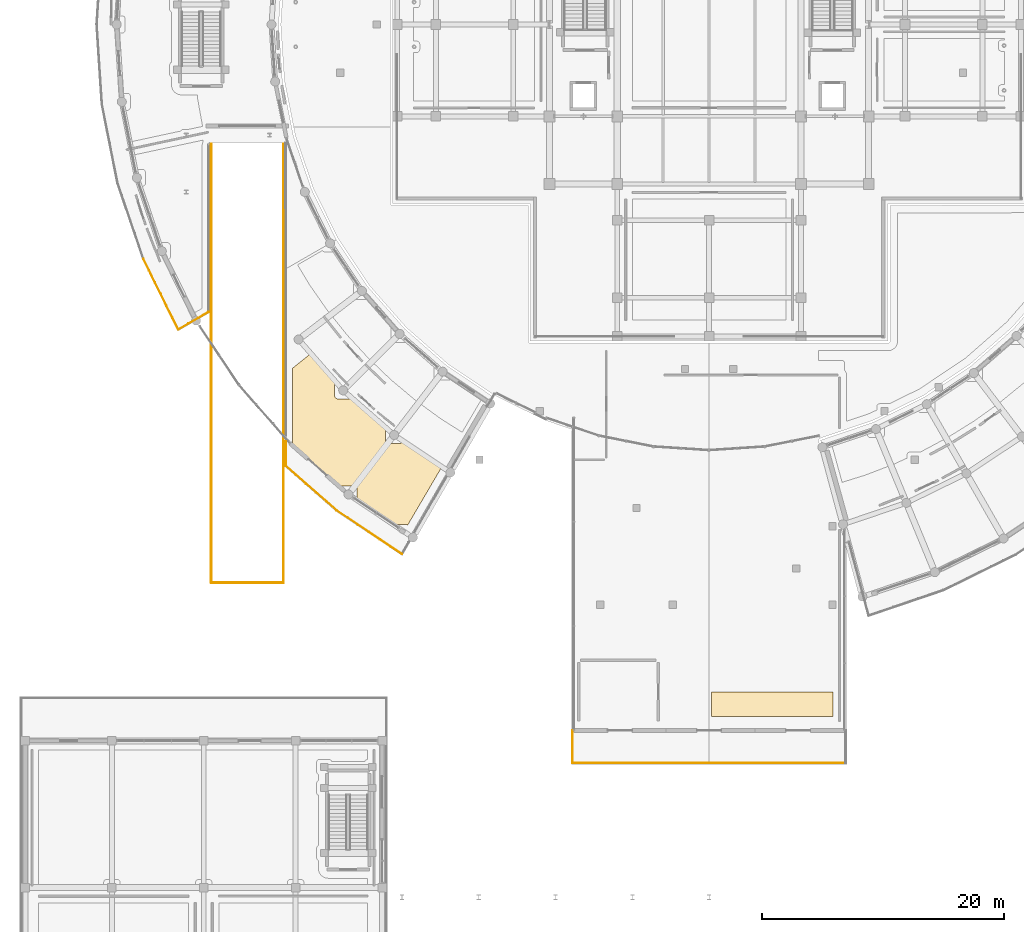
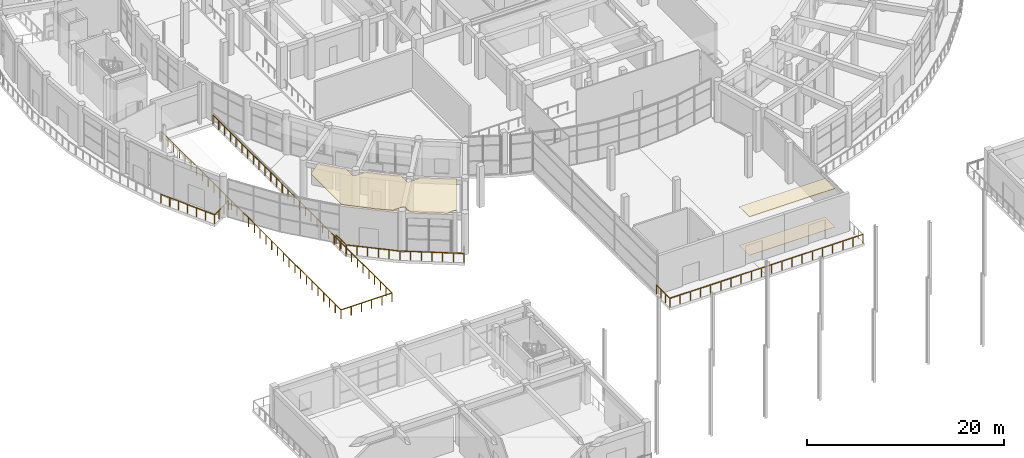
# One storey, part 80 of 99: 10 railings, 3 coverings.
"""IFC4 building model written with IfcOpenShell, lengths in metres."""

from ifc_helpers import new_model, si_unit, direction, frame, origin, origin_2d, place, context, subcontext, project, spatial, polyline, rectangle, outline, extrude, material, layer, layer_set, type_object, element, save


model = new_model("IFC4")

# Units and contexts
model_context = context("Model", 3, precision=1e-05, world=origin(), true_north=direction((0.0, 1.0)))
body_context = subcontext(model_context, "Body", "Model", "MODEL_VIEW")
ifc_project = project(units=[si_unit("LENGTHUNIT", "METRE"), si_unit("AREAUNIT", "SQUARE_METRE"), si_unit("VOLUMEUNIT", "CUBIC_METRE"), si_unit("PLANEANGLEUNIT", "RADIAN"), si_unit("MASSUNIT", "GRAM", prefix="KILO")], contexts=[model_context])

# Site, building, storey
site_placement = place(None, origin())
site = spatial("IfcSite", under=ifc_project, at=site_placement, CompositionType="ELEMENT")
building_placement = place(site_placement, origin())
building = spatial("IfcBuilding", under=site, at=building_placement, Name="Saryqyr Civic Hall", CompositionType="ELEMENT")
storey_placement = place(building_placement, origin())
storey = spatial("IfcBuildingStorey", under=building, at=storey_placement, Name="L00", CompositionType="ELEMENT", Elevation=0.0)

# Coverings
ifc_material_1 = material(Name="Mineral-fibre acoustic ceiling tile", Category="acoustic_tile")
ifc_layer_1 = layer(ifc_material_1, 0.06005859375, Name="Mineral-fibre acoustic ceiling tile")
ifc_layer_set_1 = layer_set([ifc_layer_1], Name="Mineral-fibre acoustic ceiling tile")
covering_type_1 = type_object("IfcCoveringType", Name="INT-COV-CEIL-60", PredefinedType="CEILING", material=ifc_layer_set_1)
covering_1_placement = place(storey_placement, frame((0.0, 0.0, 4.760009765625)))
element("IfcCovering", 1, at=covering_1_placement, inside=storey, type_object=covering_type_1, Name="Acoustic ceiling Public Toilet Block & Accessible MGN WC L00-W", PredefinedType="CEILING", context=body_context, shape_type="SweptSolid", body=[
    extrude(outline(polyline([(26.1630859375, 54.411376953125), (26.141845703125, 54.398681640625), (26.122314453125, 54.384033203125), (26.10400390625, 54.36767578125), (26.08740234375, 54.349365234375), (26.072998046875, 54.32958984375), (26.060302734375, 54.30859375), (26.0498046875, 54.28662109375), (26.04150390625, 54.263427734375), (26.03564453125, 54.239501953125), (26.031982421875, 54.21533203125), (26.03076171875, 54.19091796875), (26.03076171875, 53.28076171875), (26.031982421875, 53.25634765625), (26.03564453125, 53.23193359375), (26.04150390625, 53.208251953125), (26.0498046875, 53.18505859375), (26.060302734375, 53.1630859375), (26.072998046875, 53.141845703125), (26.08740234375, 53.122314453125), (26.10400390625, 53.10400390625), (26.122314453125, 53.08740234375), (26.141845703125, 53.072998046875), (26.1630859375, 53.060302734375), (26.18505859375, 53.0498046875), (26.208251953125, 53.04150390625), (26.23193359375, 53.03564453125), (26.25634765625, 53.031982421875), (26.28076171875, 53.03076171875), (27.19091796875, 53.03076171875), (27.21533203125, 53.031982421875), (27.239501953125, 53.03564453125), (27.263427734375, 53.04150390625), (27.28662109375, 53.0498046875), (27.30859375, 53.060302734375), (27.32958984375, 53.072998046875), (27.349365234375, 53.08740234375), (27.36767578125, 53.10400390625), (27.384033203125, 53.122314453125), (27.398681640625, 53.141845703125), (27.40869140625, 53.158447265625), (29.060546875, 51.6435546875), (29.085693359375, 51.621826171875), (30.2880859375, 50.646484375), (30.281982421875, 50.638427734375), (30.26953125, 50.6171875), (30.259033203125, 50.59521484375), (30.250732421875, 50.572021484375), (30.244873046875, 50.54833984375), (30.2412109375, 50.52392578125), (30.239990234375, 50.49951171875), (30.239990234375, 49.589599609375), (30.2412109375, 49.56494140625), (30.244873046875, 49.540771484375), (30.250732421875, 49.516845703125), (30.259033203125, 49.493896484375), (30.26953125, 49.4716796875), (30.281982421875, 49.45068359375), (30.296630859375, 49.430908203125), (30.313232421875, 49.41259765625), (30.331298828125, 49.396240234375), (30.35107421875, 49.381591796875), (30.372314453125, 49.368896484375), (30.394287109375, 49.3583984375), (30.41748046875, 49.350341796875), (30.441162109375, 49.34423828125), (30.465576171875, 49.3408203125), (30.489990234375, 49.339599609375), (31.39990234375, 49.339599609375), (31.424560546875, 49.3408203125), (31.44873046875, 49.34423828125), (31.47265625, 49.350341796875), (31.49560546875, 49.3583984375), (31.517822265625, 49.368896484375), (31.538818359375, 49.381591796875), (31.55859375, 49.396240234375), (31.576904296875, 49.41259765625), (31.59326171875, 49.430908203125), (31.60791015625, 49.45068359375), (31.62060546875, 49.4716796875), (31.631103515625, 49.493896484375), (31.63916015625, 49.516845703125), (31.645263671875, 49.540771484375), (31.648681640625, 49.56494140625), (31.64990234375, 49.589599609375), (31.64990234375, 49.595947265625), (33.166015625, 48.510986328125), (33.193603515625, 48.492431640625), (34.8974609375, 47.422119140625), (34.896240234375, 47.41357421875), (34.89599609375, 47.41162109375), (32.0693359375, 42.593505859375), (32.060546875, 42.60009765625), (32.03955078125, 42.61279296875), (32.017333984375, 42.623291015625), (31.994384765625, 42.63134765625), (31.970458984375, 42.637451171875), (31.9462890625, 42.64111328125), (31.921630859375, 42.64208984375), (31.311767578125, 42.64208984375), (31.287109375, 42.64111328125), (31.262939453125, 42.637451171875), (31.239013671875, 42.63134765625), (31.216064453125, 42.623291015625), (31.19384765625, 42.61279296875), (31.1728515625, 42.60009765625), (31.153076171875, 42.58544921875), (31.135009765625, 42.569091796875), (31.118408203125, 42.55078125), (31.103759765625, 42.531005859375), (31.094970703125, 42.516357421875), (29.736083984375, 43.369873046875), (27.875732421875, 44.70166015625), (27.875732421875, 45.580810546875), (27.87451171875, 45.605224609375), (27.870849609375, 45.62939453125), (27.864990234375, 45.6533203125), (27.856689453125, 45.676513671875), (27.84619140625, 45.698486328125), (27.83349609375, 45.719482421875), (27.819091796875, 45.7392578125), (27.802490234375, 45.757568359375), (27.7841796875, 45.77392578125), (27.7646484375, 45.78857421875), (27.743408203125, 45.80126953125), (27.721435546875, 45.811767578125), (27.6982421875, 45.81982421875), (27.674560546875, 45.825927734375), (27.650146484375, 45.82958984375), (27.625732421875, 45.830810546875), (26.7158203125, 45.830810546875), (26.691162109375, 45.82958984375), (26.6669921875, 45.825927734375), (26.64306640625, 45.81982421875), (26.6201171875, 45.811767578125), (26.597900390625, 45.80126953125), (26.576904296875, 45.78857421875), (26.55712890625, 45.77392578125), (26.538818359375, 45.757568359375), (26.52685546875, 45.744140625), (25.0361328125, 46.95361328125), (22.85693359375, 48.951904296875), (22.530029296875, 49.290283203125), (22.530029296875, 55.5556640625), (24.052001953125, 56.780517578125), (25.363037109375, 55.24853515625), (25.385498046875, 55.223876953125), (26.168212890625, 54.413818359375), (26.1630859375, 54.411376953125)])), origin(), (0.0, 0.0, 1.0), 0.06005859375),
])
covering_2_placement = place(storey_placement, frame((0.0, 0.0, 4.760009765625)))
element("IfcCovering", 2, at=covering_2_placement, inside=storey, type_object=covering_type_1, Name="Acoustic ceiling Public Hall and South Ceremonial Foyer", PredefinedType="CEILING", context=body_context, shape_type="SweptSolid", body=[
    extrude(outline(polyline([(67.25, 26.75), (57.199951171875, 26.75), (57.199951171875, 28.800048828125), (67.25, 28.800048828125), (67.25, 26.75)])), origin(), (0.0, 0.0, 1.0), 0.06005859375),
])
ifc_material_2 = material(Name="Polished terrazzo tile", Category="stone")
ifc_layer_2 = layer(ifc_material_2, 0.030029296875, Name="Polished terrazzo tile")
ifc_layer_set_2 = layer_set([ifc_layer_2], Name="Polished terrazzo tile")
covering_type_2 = type_object("IfcCoveringType", Name="INT-COV-FLR-30", PredefinedType="FLOORING", material=ifc_layer_set_2)
covering_3_placement = place(storey_placement, origin())
element("IfcCovering", 3, at=covering_3_placement, inside=storey, type_object=covering_type_2, Name="Polished terrazzo flooring Public Hall and South Ceremonial Foyer", PredefinedType="FLOORING", context=body_context, shape_type="SweptSolid", body=[
    extrude(outline(polyline([(67.25, 26.75), (57.199951171875, 26.75), (57.199951171875, 28.800048828125), (67.25, 28.800048828125), (67.25, 26.75)])), origin(), (0.0, 0.0, 1.0), 0.030029296875),
])

# Railings
ifc_material_3 = material(Name="Warm brushed brass and laminated glass", Category="glass")
ifc_layer_3 = layer(ifc_material_3, 0.06005859375, Name="Warm brushed brass and laminated glass")
ifc_layer_set_3 = layer_set([ifc_layer_3], Name="Warm brushed brass and laminated glass")
railing_type = type_object("IfcRailingType", Name="INT-RLG-BAL-1100", PredefinedType="BALUSTRADE", material=ifc_layer_set_3)
railing_1_placement = place(storey_placement, frame((15.820068359375, 74.10009765625, 0.0)))
element("IfcRailing", 4, at=railing_1_placement, inside=storey, type_object=railing_type, Name="Perimeter safety balustrade RAMP-OPEN-L00-G01", PredefinedType="BALUSTRADE", context=body_context, shape_type="SweptSolid", body=[
    extrude(rectangle(XDim=0.048095703125, YDim=0.048095703125, at=origin_2d()), frame((0.0, 0.0, 1.076171875), z_axis=(0.0, -1.0, 0.0), x_axis=(1.0, 0.0, 0.0)), (0.0, 0.0, 1.0), 36.280029296875),
    extrude(rectangle(XDim=0.0419921875, YDim=0.0419921875, at=origin_2d()), origin(), (0.0, 0.0, 1.0), 1.052001953125),
    extrude(rectangle(XDim=0.0419921875, YDim=0.0419921875, at=origin_2d()), frame((0.0, -1.17041015625, 0.0)), (0.0, 0.0, 1.0), 1.052001953125),
    extrude(rectangle(XDim=0.0419921875, YDim=0.0419921875, at=origin_2d()), frame((0.0, -2.340576171875, 0.0)), (0.0, 0.0, 1.0), 1.052001953125),
    extrude(rectangle(XDim=0.0419921875, YDim=0.0419921875, at=origin_2d()), frame((0.0, -3.510986328125, 0.0)), (0.0, 0.0, 1.0), 1.052001953125),
    extrude(rectangle(XDim=0.0419921875, YDim=0.0419921875, at=origin_2d()), frame((0.0, -4.681396484375, 0.0)), (0.0, 0.0, 1.0), 1.052001953125),
    extrude(rectangle(XDim=0.0419921875, YDim=0.0419921875, at=origin_2d()), frame((0.0, -5.8515625, 0.0)), (0.0, 0.0, 1.0), 1.052001953125),
    extrude(rectangle(XDim=0.0419921875, YDim=0.0419921875, at=origin_2d()), frame((0.0, -7.02197265625, 0.0)), (0.0, 0.0, 1.0), 1.052001953125),
    extrude(rectangle(XDim=0.0419921875, YDim=0.0419921875, at=origin_2d()), frame((0.0, -8.1923828125, 0.0)), (0.0, 0.0, 1.0), 1.052001953125),
    extrude(rectangle(XDim=0.0419921875, YDim=0.0419921875, at=origin_2d()), frame((0.0, -9.362548828125, 0.0)), (0.0, 0.0, 1.0), 1.052001953125),
    extrude(rectangle(XDim=0.0419921875, YDim=0.0419921875, at=origin_2d()), frame((0.0, -10.532958984375, 0.0)), (0.0, 0.0, 1.0), 1.052001953125),
    extrude(rectangle(XDim=0.0419921875, YDim=0.0419921875, at=origin_2d()), frame((0.0, -11.703125, 0.0)), (0.0, 0.0, 1.0), 1.052001953125),
    extrude(rectangle(XDim=0.0419921875, YDim=0.0419921875, at=origin_2d()), frame((0.0, -12.87353515625, 0.0)), (0.0, 0.0, 1.0), 1.052001953125),
    extrude(rectangle(XDim=0.0419921875, YDim=0.0419921875, at=origin_2d()), frame((0.0, -14.0439453125, 0.0)), (0.0, 0.0, 1.0), 1.052001953125),
    extrude(rectangle(XDim=0.0419921875, YDim=0.0419921875, at=origin_2d()), frame((0.0, -15.214111328125, 0.0)), (0.0, 0.0, 1.0), 1.052001953125),
    extrude(rectangle(XDim=0.0419921875, YDim=0.0419921875, at=origin_2d()), frame((0.0, -16.384521484375, 0.0)), (0.0, 0.0, 1.0), 1.052001953125),
    extrude(rectangle(XDim=0.0419921875, YDim=0.0419921875, at=origin_2d()), frame((0.0, -17.554931640625, 0.0)), (0.0, 0.0, 1.0), 1.052001953125),
    extrude(rectangle(XDim=0.0419921875, YDim=0.0419921875, at=origin_2d()), frame((0.0, -18.72509765625, 0.0)), (0.0, 0.0, 1.0), 1.052001953125),
    extrude(rectangle(XDim=0.0419921875, YDim=0.0419921875, at=origin_2d()), frame((0.0, -19.8955078125, 0.0)), (0.0, 0.0, 1.0), 1.052001953125),
    extrude(rectangle(XDim=0.0419921875, YDim=0.0419921875, at=origin_2d()), frame((0.0, -21.06591796875, 0.0)), (0.0, 0.0, 1.0), 1.052001953125),
    extrude(rectangle(XDim=0.0419921875, YDim=0.0419921875, at=origin_2d()), frame((0.0, -22.236083984375, 0.0)), (0.0, 0.0, 1.0), 1.052001953125),
    extrude(rectangle(XDim=0.0419921875, YDim=0.0419921875, at=origin_2d()), frame((0.0, -23.406494140625, 0.0)), (0.0, 0.0, 1.0), 1.052001953125),
    extrude(rectangle(XDim=0.0419921875, YDim=0.0419921875, at=origin_2d()), frame((0.0, -24.576904296875, 0.0)), (0.0, 0.0, 1.0), 1.052001953125),
    extrude(rectangle(XDim=0.0419921875, YDim=0.0419921875, at=origin_2d()), frame((0.0, -25.7470703125, 0.0)), (0.0, 0.0, 1.0), 1.052001953125),
    extrude(rectangle(XDim=0.0419921875, YDim=0.0419921875, at=origin_2d()), frame((0.0, -26.91748046875, 0.0)), (0.0, 0.0, 1.0), 1.052001953125),
    extrude(rectangle(XDim=0.0419921875, YDim=0.0419921875, at=origin_2d()), frame((0.0, -28.087646484375, 0.0)), (0.0, 0.0, 1.0), 1.052001953125),
    extrude(rectangle(XDim=0.0419921875, YDim=0.0419921875, at=origin_2d()), frame((0.0, -29.258056640625, 0.0)), (0.0, 0.0, 1.0), 1.052001953125),
    extrude(rectangle(XDim=0.0419921875, YDim=0.0419921875, at=origin_2d()), frame((0.0, -30.428466796875, 0.0)), (0.0, 0.0, 1.0), 1.052001953125),
    extrude(rectangle(XDim=0.0419921875, YDim=0.0419921875, at=origin_2d()), frame((0.0, -31.5986328125, 0.0)), (0.0, 0.0, 1.0), 1.052001953125),
    extrude(rectangle(XDim=0.0419921875, YDim=0.0419921875, at=origin_2d()), frame((0.0, -32.76904296875, 0.0)), (0.0, 0.0, 1.0), 1.052001953125),
    extrude(rectangle(XDim=0.0419921875, YDim=0.0419921875, at=origin_2d()), frame((0.0, -33.939453125, 0.0)), (0.0, 0.0, 1.0), 1.052001953125),
    extrude(rectangle(XDim=0.0419921875, YDim=0.0419921875, at=origin_2d()), frame((0.0, -35.109619140625, 0.0)), (0.0, 0.0, 1.0), 1.052001953125),
    extrude(rectangle(XDim=0.0419921875, YDim=0.0419921875, at=origin_2d()), frame((0.0, -36.280029296875, 0.0)), (0.0, 0.0, 1.0), 1.052001953125),
])
railing_2_placement = place(storey_placement, frame((15.820068359375, 37.820068359375, 0.0)))
element("IfcRailing", 5, at=railing_2_placement, inside=storey, type_object=railing_type, Name="Perimeter safety balustrade RAMP-OPEN-L00-G02", PredefinedType="BALUSTRADE", context=body_context, shape_type="SweptSolid", body=[
    extrude(rectangle(XDim=0.048095703125, YDim=0.048095703125, at=origin_2d()), frame((0.0, 0.0, 1.076171875), z_axis=(1.0, 0.0, 0.0), x_axis=(0.0, 1.0, 0.0)), (0.0, 0.0, 1.0), 5.9599609375),
    extrude(rectangle(XDim=0.0419921875, YDim=0.0419921875, at=origin_2d()), origin(), (0.0, 0.0, 1.0), 1.052001953125),
    extrude(rectangle(XDim=0.0419921875, YDim=0.0419921875, at=origin_2d()), frame((1.19189453125, 0.0, 0.0)), (0.0, 0.0, 1.0), 1.052001953125),
    extrude(rectangle(XDim=0.0419921875, YDim=0.0419921875, at=origin_2d()), frame((2.384033203125, 0.0, 0.0)), (0.0, 0.0, 1.0), 1.052001953125),
    extrude(rectangle(XDim=0.0419921875, YDim=0.0419921875, at=origin_2d()), frame((3.575927734375, 0.0, 0.0)), (0.0, 0.0, 1.0), 1.052001953125),
    extrude(rectangle(XDim=0.0419921875, YDim=0.0419921875, at=origin_2d()), frame((4.76806640625, 0.0, 0.0)), (0.0, 0.0, 1.0), 1.052001953125),
    extrude(rectangle(XDim=0.0419921875, YDim=0.0419921875, at=origin_2d()), frame((5.9599609375, 0.0, 0.0)), (0.0, 0.0, 1.0), 1.052001953125),
])
railing_3_placement = place(storey_placement, frame((21.780029296875, 37.820068359375, 0.0)))
element("IfcRailing", 6, at=railing_3_placement, inside=storey, type_object=railing_type, Name="Perimeter safety balustrade RAMP-OPEN-L00-G03", PredefinedType="BALUSTRADE", context=body_context, shape_type="SweptSolid", body=[
    extrude(rectangle(XDim=0.048095703125, YDim=0.048095703125, at=origin_2d()), frame((0.0, 0.0, 1.076171875), z_axis=(0.0, 1.0, 0.0), x_axis=(-1.0, 0.0, 0.0)), (0.0, 0.0, 1.0), 36.280029296875),
    extrude(rectangle(XDim=0.0419921875, YDim=0.0419921875, at=origin_2d()), origin(), (0.0, 0.0, 1.0), 1.052001953125),
    extrude(rectangle(XDim=0.0419921875, YDim=0.0419921875, at=origin_2d()), frame((0.0, 1.17041015625, 0.0)), (0.0, 0.0, 1.0), 1.052001953125),
    extrude(rectangle(XDim=0.0419921875, YDim=0.0419921875, at=origin_2d()), frame((0.0, 2.340576171875, 0.0)), (0.0, 0.0, 1.0), 1.052001953125),
    extrude(rectangle(XDim=0.0419921875, YDim=0.0419921875, at=origin_2d()), frame((0.0, 3.510986328125, 0.0)), (0.0, 0.0, 1.0), 1.052001953125),
    extrude(rectangle(XDim=0.0419921875, YDim=0.0419921875, at=origin_2d()), frame((0.0, 4.681396484375, 0.0)), (0.0, 0.0, 1.0), 1.052001953125),
    extrude(rectangle(XDim=0.0419921875, YDim=0.0419921875, at=origin_2d()), frame((0.0, 5.8515625, 0.0)), (0.0, 0.0, 1.0), 1.052001953125),
    extrude(rectangle(XDim=0.0419921875, YDim=0.0419921875, at=origin_2d()), frame((0.0, 7.02197265625, 0.0)), (0.0, 0.0, 1.0), 1.052001953125),
    extrude(rectangle(XDim=0.0419921875, YDim=0.0419921875, at=origin_2d()), frame((0.0, 8.1923828125, 0.0)), (0.0, 0.0, 1.0), 1.052001953125),
    extrude(rectangle(XDim=0.0419921875, YDim=0.0419921875, at=origin_2d()), frame((0.0, 9.362548828125, 0.0)), (0.0, 0.0, 1.0), 1.052001953125),
    extrude(rectangle(XDim=0.0419921875, YDim=0.0419921875, at=origin_2d()), frame((0.0, 10.532958984375, 0.0)), (0.0, 0.0, 1.0), 1.052001953125),
    extrude(rectangle(XDim=0.0419921875, YDim=0.0419921875, at=origin_2d()), frame((0.0, 11.703125, 0.0)), (0.0, 0.0, 1.0), 1.052001953125),
    extrude(rectangle(XDim=0.0419921875, YDim=0.0419921875, at=origin_2d()), frame((0.0, 12.87353515625, 0.0)), (0.0, 0.0, 1.0), 1.052001953125),
    extrude(rectangle(XDim=0.0419921875, YDim=0.0419921875, at=origin_2d()), frame((0.0, 14.0439453125, 0.0)), (0.0, 0.0, 1.0), 1.052001953125),
    extrude(rectangle(XDim=0.0419921875, YDim=0.0419921875, at=origin_2d()), frame((0.0, 15.214111328125, 0.0)), (0.0, 0.0, 1.0), 1.052001953125),
    extrude(rectangle(XDim=0.0419921875, YDim=0.0419921875, at=origin_2d()), frame((0.0, 16.384521484375, 0.0)), (0.0, 0.0, 1.0), 1.052001953125),
    extrude(rectangle(XDim=0.0419921875, YDim=0.0419921875, at=origin_2d()), frame((0.0, 17.554931640625, 0.0)), (0.0, 0.0, 1.0), 1.052001953125),
    extrude(rectangle(XDim=0.0419921875, YDim=0.0419921875, at=origin_2d()), frame((0.0, 18.72509765625, 0.0)), (0.0, 0.0, 1.0), 1.052001953125),
    extrude(rectangle(XDim=0.0419921875, YDim=0.0419921875, at=origin_2d()), frame((0.0, 19.8955078125, 0.0)), (0.0, 0.0, 1.0), 1.052001953125),
    extrude(rectangle(XDim=0.0419921875, YDim=0.0419921875, at=origin_2d()), frame((0.0, 21.06591796875, 0.0)), (0.0, 0.0, 1.0), 1.052001953125),
    extrude(rectangle(XDim=0.0419921875, YDim=0.0419921875, at=origin_2d()), frame((0.0, 22.236083984375, 0.0)), (0.0, 0.0, 1.0), 1.052001953125),
    extrude(rectangle(XDim=0.0419921875, YDim=0.0419921875, at=origin_2d()), frame((0.0, 23.406494140625, 0.0)), (0.0, 0.0, 1.0), 1.052001953125),
    extrude(rectangle(XDim=0.0419921875, YDim=0.0419921875, at=origin_2d()), frame((0.0, 24.576904296875, 0.0)), (0.0, 0.0, 1.0), 1.052001953125),
    extrude(rectangle(XDim=0.0419921875, YDim=0.0419921875, at=origin_2d()), frame((0.0, 25.7470703125, 0.0)), (0.0, 0.0, 1.0), 1.052001953125),
    extrude(rectangle(XDim=0.0419921875, YDim=0.0419921875, at=origin_2d()), frame((0.0, 26.91748046875, 0.0)), (0.0, 0.0, 1.0), 1.052001953125),
    extrude(rectangle(XDim=0.0419921875, YDim=0.0419921875, at=origin_2d()), frame((0.0, 28.087646484375, 0.0)), (0.0, 0.0, 1.0), 1.052001953125),
    extrude(rectangle(XDim=0.0419921875, YDim=0.0419921875, at=origin_2d()), frame((0.0, 29.258056640625, 0.0)), (0.0, 0.0, 1.0), 1.052001953125),
    extrude(rectangle(XDim=0.0419921875, YDim=0.0419921875, at=origin_2d()), frame((0.0, 30.428466796875, 0.0)), (0.0, 0.0, 1.0), 1.052001953125),
    extrude(rectangle(XDim=0.0419921875, YDim=0.0419921875, at=origin_2d()), frame((0.0, 31.5986328125, 0.0)), (0.0, 0.0, 1.0), 1.052001953125),
    extrude(rectangle(XDim=0.0419921875, YDim=0.0419921875, at=origin_2d()), frame((0.0, 32.76904296875, 0.0)), (0.0, 0.0, 1.0), 1.052001953125),
    extrude(rectangle(XDim=0.0419921875, YDim=0.0419921875, at=origin_2d()), frame((0.0, 33.939453125, 0.0)), (0.0, 0.0, 1.0), 1.052001953125),
    extrude(rectangle(XDim=0.0419921875, YDim=0.0419921875, at=origin_2d()), frame((0.0, 35.109619140625, 0.0)), (0.0, 0.0, 1.0), 1.052001953125),
    extrude(rectangle(XDim=0.0419921875, YDim=0.0419921875, at=origin_2d()), frame((0.0, 36.280029296875, 0.0)), (0.0, 0.0, 1.0), 1.052001953125),
])
railing_4_placement = place(storey_placement, frame((68.300048828125, 22.89990234375, 0.0)))
element("IfcRailing", 7, at=railing_4_placement, inside=storey, type_object=railing_type, Name="Interior deck safety balustrade L00-043", PredefinedType="BALUSTRADE", context=body_context, shape_type="SweptSolid", body=[
    extrude(rectangle(XDim=0.048095703125, YDim=0.048095703125, at=origin_2d()), frame((0.0, 0.0, 1.09619140625), z_axis=(-1.0, 0.0, 0.0), x_axis=(0.0, -1.0, 0.0)), (0.0, 0.0, 1.0), 22.60009765625),
    extrude(rectangle(XDim=0.0419921875, YDim=0.0419921875, at=origin_2d()), origin(), (0.0, 0.0, 1.0), 1.072021484375),
    extrude(rectangle(XDim=0.0419921875, YDim=0.0419921875, at=origin_2d()), frame((-1.189453125, 0.0, 0.0)), (0.0, 0.0, 1.0), 1.072021484375),
    extrude(rectangle(XDim=0.0419921875, YDim=0.0419921875, at=origin_2d()), frame((-2.37890625, 0.0, 0.0)), (0.0, 0.0, 1.0), 1.072021484375),
    extrude(rectangle(XDim=0.0419921875, YDim=0.0419921875, at=origin_2d()), frame((-3.568359375, 0.0, 0.0)), (0.0, 0.0, 1.0), 1.072021484375),
    extrude(rectangle(XDim=0.0419921875, YDim=0.0419921875, at=origin_2d()), frame((-4.7578125, 0.0, 0.0)), (0.0, 0.0, 1.0), 1.072021484375),
    extrude(rectangle(XDim=0.0419921875, YDim=0.0419921875, at=origin_2d()), frame((-5.947509765625, 0.0, 0.0)), (0.0, 0.0, 1.0), 1.072021484375),
    extrude(rectangle(XDim=0.0419921875, YDim=0.0419921875, at=origin_2d()), frame((-7.136962890625, 0.0, 0.0)), (0.0, 0.0, 1.0), 1.072021484375),
    extrude(rectangle(XDim=0.0419921875, YDim=0.0419921875, at=origin_2d()), frame((-8.326416015625, 0.0, 0.0)), (0.0, 0.0, 1.0), 1.072021484375),
    extrude(rectangle(XDim=0.0419921875, YDim=0.0419921875, at=origin_2d()), frame((-9.515869140625, 0.0, 0.0)), (0.0, 0.0, 1.0), 1.072021484375),
    extrude(rectangle(XDim=0.0419921875, YDim=0.0419921875, at=origin_2d()), frame((-10.705322265625, 0.0, 0.0)), (0.0, 0.0, 1.0), 1.072021484375),
    extrude(rectangle(XDim=0.0419921875, YDim=0.0419921875, at=origin_2d()), frame((-11.894775390625, 0.0, 0.0)), (0.0, 0.0, 1.0), 1.072021484375),
    extrude(rectangle(XDim=0.0419921875, YDim=0.0419921875, at=origin_2d()), frame((-13.084228515625, 0.0, 0.0)), (0.0, 0.0, 1.0), 1.072021484375),
    extrude(rectangle(XDim=0.0419921875, YDim=0.0419921875, at=origin_2d()), frame((-14.273681640625, 0.0, 0.0)), (0.0, 0.0, 1.0), 1.072021484375),
    extrude(rectangle(XDim=0.0419921875, YDim=0.0419921875, at=origin_2d()), frame((-15.463134765625, 0.0, 0.0)), (0.0, 0.0, 1.0), 1.072021484375),
    extrude(rectangle(XDim=0.0419921875, YDim=0.0419921875, at=origin_2d()), frame((-16.652587890625, 0.0, 0.0)), (0.0, 0.0, 1.0), 1.072021484375),
    extrude(rectangle(XDim=0.0419921875, YDim=0.0419921875, at=origin_2d()), frame((-17.84228515625, 0.0, 0.0)), (0.0, 0.0, 1.0), 1.072021484375),
    extrude(rectangle(XDim=0.0419921875, YDim=0.0419921875, at=origin_2d()), frame((-19.03173828125, 0.0, 0.0)), (0.0, 0.0, 1.0), 1.072021484375),
    extrude(rectangle(XDim=0.0419921875, YDim=0.0419921875, at=origin_2d()), frame((-20.22119140625, 0.0, 0.0)), (0.0, 0.0, 1.0), 1.072021484375),
    extrude(rectangle(XDim=0.0419921875, YDim=0.0419921875, at=origin_2d()), frame((-21.41064453125, 0.0, 0.0)), (0.0, 0.0, 1.0), 1.072021484375),
    extrude(rectangle(XDim=0.0419921875, YDim=0.0419921875, at=origin_2d()), frame((-22.60009765625, 0.0, 0.0)), (0.0, 0.0, 1.0), 1.072021484375),
])
railing_5_placement = place(storey_placement, frame((45.699951171875, 22.89990234375, 0.0)))
element("IfcRailing", 8, at=railing_5_placement, inside=storey, type_object=railing_type, Name="Interior deck safety balustrade L00-044", PredefinedType="BALUSTRADE", context=body_context, shape_type="SweptSolid", body=[
    extrude(rectangle(XDim=0.048095703125, YDim=0.048095703125, at=origin_2d()), frame((0.0, 0.0, 1.09619140625), z_axis=(0.0, 1.0, 0.0), x_axis=(-1.0, 0.0, 0.0)), (0.0, 0.0, 1.0), 2.710205078125),
    extrude(rectangle(XDim=0.0419921875, YDim=0.0419921875, at=origin_2d()), origin(), (0.0, 0.0, 1.0), 1.072021484375),
    extrude(rectangle(XDim=0.0419921875, YDim=0.0419921875, at=origin_2d()), frame((0.0, 0.9033203125, 0.0)), (0.0, 0.0, 1.0), 1.072021484375),
    extrude(rectangle(XDim=0.0419921875, YDim=0.0419921875, at=origin_2d()), frame((0.0, 1.806884765625, 0.0)), (0.0, 0.0, 1.0), 1.072021484375),
    extrude(rectangle(XDim=0.0419921875, YDim=0.0419921875, at=origin_2d()), frame((0.0, 2.710205078125, 0.0)), (0.0, 0.0, 1.0), 1.072021484375),
])
railing_6_placement = place(storey_placement, frame((31.591796875, 40.191650390625, 0.0)))
element("IfcRailing", 9, at=railing_6_placement, inside=storey, type_object=railing_type, Name="Interior deck safety balustrade L00-048", PredefinedType="BALUSTRADE", context=body_context, shape_type="SweptSolid", body=[
    extrude(rectangle(XDim=0.048095703125, YDim=0.048095703125, at=origin_2d()), frame((0.0, 0.0, 1.09619140625), z_axis=(-0.831456920371, 0.555589227368, 0.0), x_axis=(-0.555589227368, -0.831456920371, 0.0)), (0.0, 0.0, 1.0), 6.525146484375),
    extrude(rectangle(XDim=0.0419921875, YDim=0.0419921875, at=origin_2d()), origin(), (0.0, 0.0, 1.0), 1.072021484375),
    extrude(rectangle(XDim=0.0419921875, YDim=0.0419921875, at=origin_2d()), frame((-0.904296875, 0.604248046875, 0.0)), (0.0, 0.0, 1.0), 1.072021484375),
    extrude(rectangle(XDim=0.0419921875, YDim=0.0419921875, at=origin_2d()), frame((-1.808349609375, 1.20849609375, 0.0)), (0.0, 0.0, 1.0), 1.072021484375),
    extrude(rectangle(XDim=0.0419921875, YDim=0.0419921875, at=origin_2d()), frame((-2.712646484375, 1.8125, 0.0)), (0.0, 0.0, 1.0), 1.072021484375),
    extrude(rectangle(XDim=0.0419921875, YDim=0.0419921875, at=origin_2d()), frame((-3.616943359375, 2.416748046875, 0.0)), (0.0, 0.0, 1.0), 1.072021484375),
    extrude(rectangle(XDim=0.0419921875, YDim=0.0419921875, at=origin_2d()), frame((-4.52099609375, 3.02099609375, 0.0)), (0.0, 0.0, 1.0), 1.072021484375),
    extrude(rectangle(XDim=0.0419921875, YDim=0.0419921875, at=origin_2d()), frame((-5.42529296875, 3.625244140625, 0.0)), (0.0, 0.0, 1.0), 1.072021484375),
])
railing_7_placement = place(storey_placement, frame((26.16650390625, 43.81689453125, 0.0)))
element("IfcRailing", 10, at=railing_7_placement, inside=storey, type_object=railing_type, Name="Interior deck safety balustrade L00-049", PredefinedType="BALUSTRADE", context=body_context, shape_type="SweptSolid", body=[
    extrude(rectangle(XDim=0.048095703125, YDim=0.048095703125, at=origin_2d()), frame((0.0, 0.0, 1.09619140625), z_axis=(-0.751850297168, 0.65933385371, 0.0), x_axis=(-0.65933385371, -0.751850297168, 0.0)), (0.0, 0.0, 1.0), 5.541748046875),
    extrude(rectangle(XDim=0.0419921875, YDim=0.0419921875, at=origin_2d()), origin(), (0.0, 0.0, 1.0), 1.072021484375),
    extrude(rectangle(XDim=0.0419921875, YDim=0.0419921875, at=origin_2d()), frame((-0.833251953125, 0.730712890625, 0.0)), (0.0, 0.0, 1.0), 1.072021484375),
    extrude(rectangle(XDim=0.0419921875, YDim=0.0419921875, at=origin_2d()), frame((-1.66650390625, 1.46142578125, 0.0)), (0.0, 0.0, 1.0), 1.072021484375),
    extrude(rectangle(XDim=0.0419921875, YDim=0.0419921875, at=origin_2d()), frame((-2.5, 2.1923828125, 0.0)), (0.0, 0.0, 1.0), 1.072021484375),
    extrude(rectangle(XDim=0.0419921875, YDim=0.0419921875, at=origin_2d()), frame((-3.333251953125, 2.923095703125, 0.0)), (0.0, 0.0, 1.0), 1.072021484375),
    extrude(rectangle(XDim=0.0419921875, YDim=0.0419921875, at=origin_2d()), frame((-4.16650390625, 3.65380859375, 0.0)), (0.0, 0.0, 1.0), 1.072021484375),
])
railing_8_placement = place(storey_placement, frame((22.0, 47.470703125, 0.0)))
element("IfcRailing", 11, at=railing_8_placement, inside=storey, type_object=railing_type, Name="Interior deck safety balustrade L00-050", PredefinedType="BALUSTRADE", context=body_context, shape_type="SweptSolid", body=[
    extrude(rectangle(XDim=0.048095703125, YDim=0.048095703125, at=origin_2d()), frame((0.0, 0.0, 1.09619140625), z_axis=(-0.000717617325, 0.999999742513, 0.0), x_axis=(-0.999999742513, -0.000717617325, 0.0)), (0.0, 0.0, 1.0), 2.041259765625),
    extrude(rectangle(XDim=0.0419921875, YDim=0.0419921875, at=origin_2d()), origin(), (0.0, 0.0, 1.0), 1.072021484375),
    extrude(rectangle(XDim=0.0419921875, YDim=0.0419921875, at=origin_2d()), frame((-0.000732421875, 1.0205078125, 0.0)), (0.0, 0.0, 1.0), 1.072021484375),
    extrude(rectangle(XDim=0.0419921875, YDim=0.0419921875, at=origin_2d()), frame((-0.00146484375, 2.041259765625, 0.0)), (0.0, 0.0, 1.0), 1.072021484375),
])
railing_9_placement = place(storey_placement, frame((15.60009765625, 60.213134765625, 0.0)))
element("IfcRailing", 12, at=railing_9_placement, inside=storey, type_object=railing_type, Name="Interior deck safety balustrade L00-054", PredefinedType="BALUSTRADE", context=body_context, shape_type="SweptSolid", body=[
    extrude(rectangle(XDim=0.048095703125, YDim=0.048095703125, at=origin_2d()), frame((0.0, 0.0, 1.09619140625), z_axis=(-0.86601433204, -0.500019176334, 0.0), x_axis=(0.500019176334, -0.86601433204, 0.0)), (0.0, 0.0, 1.0), 2.896484375),
    extrude(rectangle(XDim=0.0419921875, YDim=0.0419921875, at=origin_2d()), origin(), (0.0, 0.0, 1.0), 1.072021484375),
    extrude(rectangle(XDim=0.0419921875, YDim=0.0419921875, at=origin_2d()), frame((-0.836181640625, -0.482666015625, 0.0)), (0.0, 0.0, 1.0), 1.072021484375),
    extrude(rectangle(XDim=0.0419921875, YDim=0.0419921875, at=origin_2d()), frame((-1.672119140625, -0.965576171875, 0.0)), (0.0, 0.0, 1.0), 1.072021484375),
    extrude(rectangle(XDim=0.0419921875, YDim=0.0419921875, at=origin_2d()), frame((-2.50830078125, -1.4482421875, 0.0)), (0.0, 0.0, 1.0), 1.072021484375),
])
railing_10_placement = place(storey_placement, frame((13.091796875, 58.764892578125, 0.0)))
element("IfcRailing", 13, at=railing_10_placement, inside=storey, type_object=railing_type, Name="Interior deck safety balustrade L00-055", PredefinedType="BALUSTRADE", context=body_context, shape_type="SweptSolid", body=[
    extrude(rectangle(XDim=0.048095703125, YDim=0.048095703125, at=origin_2d()), frame((0.0, 0.0, 1.09619140625), z_axis=(-0.442283001858, 0.8968755467, 0.0), x_axis=(-0.8968755467, -0.442283001858, 0.0)), (0.0, 0.0, 1.0), 6.525146484375),
    extrude(rectangle(XDim=0.0419921875, YDim=0.0419921875, at=origin_2d()), origin(), (0.0, 0.0, 1.0), 1.072021484375),
    extrude(rectangle(XDim=0.0419921875, YDim=0.0419921875, at=origin_2d()), frame((-0.48095703125, 0.975341796875, 0.0)), (0.0, 0.0, 1.0), 1.072021484375),
    extrude(rectangle(XDim=0.0419921875, YDim=0.0419921875, at=origin_2d()), frame((-0.9619140625, 1.95068359375, 0.0)), (0.0, 0.0, 1.0), 1.072021484375),
    extrude(rectangle(XDim=0.0419921875, YDim=0.0419921875, at=origin_2d()), frame((-1.44287109375, 2.92626953125, 0.0)), (0.0, 0.0, 1.0), 1.072021484375),
    extrude(rectangle(XDim=0.0419921875, YDim=0.0419921875, at=origin_2d()), frame((-1.924072265625, 3.901611328125, 0.0)), (0.0, 0.0, 1.0), 1.072021484375),
    extrude(rectangle(XDim=0.0419921875, YDim=0.0419921875, at=origin_2d()), frame((-2.405029296875, 4.876953125, 0.0)), (0.0, 0.0, 1.0), 1.072021484375),
    extrude(rectangle(XDim=0.0419921875, YDim=0.0419921875, at=origin_2d()), frame((-2.885986328125, 5.852294921875, 0.0)), (0.0, 0.0, 1.0), 1.072021484375),
])

save(model, "model.ifc")
